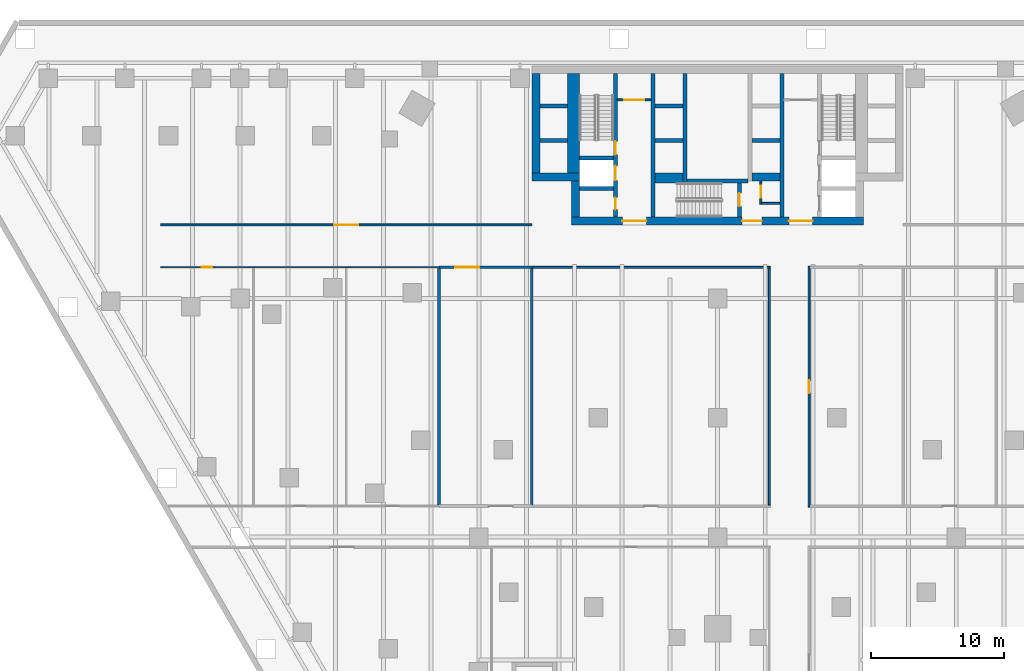
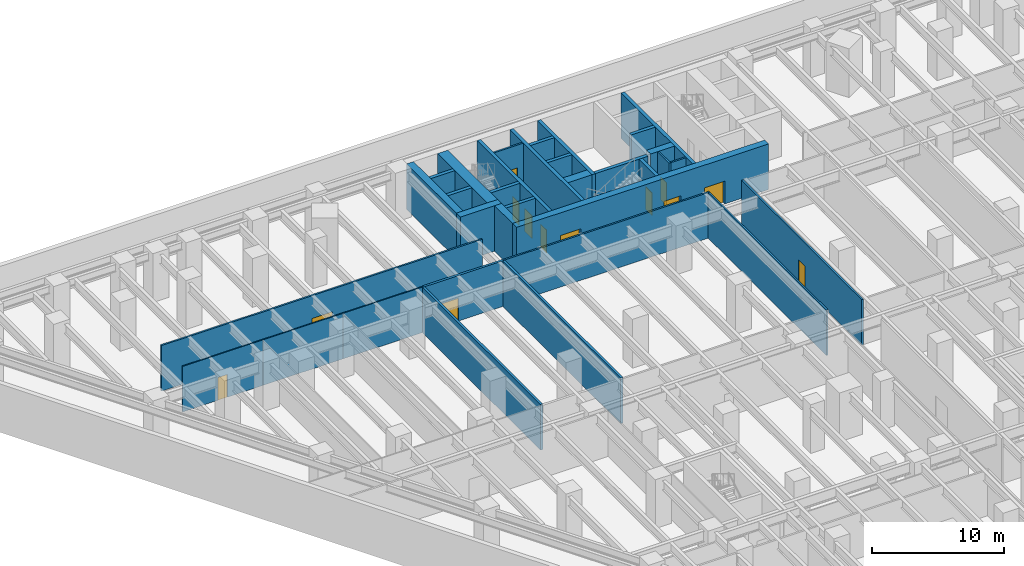
# One storey, part 14 of 20: 33 walls, 13 doors, 13 openings.
"""IFC4 building model written with IfcOpenShell, lengths in metres."""

from ifc_helpers import new_model, si_unit, direction, frame, frame_2d, origin, place, context, subcontext, project, spatial, rectangle, extrude, material, layer, layer_set, type_object, element, fill, save


model = new_model("IFC4")

# Units and contexts
model_context = context("Model", 3, precision=1e-05, world=origin(), true_north=direction((0.0, 1.0)))
body_context = subcontext(model_context, "Body", "Model", "MODEL_VIEW")
ifc_project = project(units=[si_unit("LENGTHUNIT", "METRE"), si_unit("AREAUNIT", "SQUARE_METRE"), si_unit("VOLUMEUNIT", "CUBIC_METRE"), si_unit("PLANEANGLEUNIT", "RADIAN"), si_unit("MASSUNIT", "GRAM", prefix="KILO")], contexts=[model_context])

# Site, building, storey
site_placement = place(None, origin())
site = spatial("IfcSite", under=ifc_project, at=site_placement, CompositionType="ELEMENT")
building_placement = place(site_placement, origin())
building = spatial("IfcBuilding", under=site, at=building_placement, Name="Aloe Facet Convention Tower", CompositionType="ELEMENT")
storey_placement = place(building_placement, frame((0.0, 0.0, -4.5)))
storey = spatial("IfcBuildingStorey", under=building, at=storey_placement, Name="B1", CompositionType="ELEMENT", Elevation=-4.5)

# Wall, opening, door
ifc_material_1 = material(Name="Concrete blockwork partition", Category="masonry")
ifc_layer_1 = layer(ifc_material_1, 0.14990234375)
ifc_layer_set_1 = layer_set([ifc_layer_1], Name="CR-W-PART150")
wall_type_1 = type_object("IfcWallType", Name="CR-W-PART150", PredefinedType="PARTITIONING", material=ifc_layer_set_1)
wall_1_placement = place(storey_placement, frame((72.449951171875, 131.97509765625, 0.0), z_axis=(0.0, 0.0, 1.0), x_axis=(1.0, 0.0, 0.0)))
wall_1 = element("IfcWall", 1, at=wall_1_placement, inside=storey, type_object=wall_type_1, Name="Core partition B1-012", PredefinedType="PARTITIONING", context=body_context, shape_type="SweptSolid", body=[
    extrude(rectangle(XDim=2.550048828125, YDim=0.14990234375, at=frame_2d((1.27490234375, 0.0))), origin(), (0.0, 0.0, 1.0), 4.199951171875),
])
opening_1_placement = place(wall_1_placement, frame((0.52490234375, 0.0, 0.0)))
opening_1 = element("IfcOpeningElement", 2, at=opening_1_placement, cuts=wall_1, Name="Opening B1-CD08", PredefinedType="OPENING", context=body_context, shape_type="SweptSolid", body=[
    extrude(rectangle(XDim=1.5, YDim=2.10009765625, at=frame_2d((0.75, 1.050048828125))), frame((0.0, 0.0849609375, 0.0), z_axis=(0.0, -1.0, 0.0), x_axis=(1.0, 0.0, 0.0)), (0.0, 0.0, 1.0), 0.169921875),
])
ifc_material_2 = material(Name="Steel fire-resisting door set FD60", Category="steel")
door_type_1 = type_object("IfcDoorType", Name="CR-D-REFUGE-1500-FD60-DD", OperationType="DOUBLE_DOOR_DOUBLE_SWING", PredefinedType="DOOR", material=ifc_material_2)
door_1_placement = place(opening_1_placement, origin())
door_1 = element("IfcDoor", 3, at=door_1_placement, inside=storey, type_object=door_type_1, Name="Core door B1-CD08", OperationType="DOUBLE_DOOR_DOUBLE_SWING", OverallHeight=2.10009765625, OverallWidth=1.5, PredefinedType="DOOR", context=body_context, shape_type="SweptSolid", body=[
    extrude(rectangle(XDim=1.5, YDim=2.10009765625, at=frame_2d((0.75, 1.050048828125))), frame((0.0, 0.02490234375, 0.0), z_axis=(0.0, -1.0, 0.0), x_axis=(1.0, 0.0, 0.0)), (0.0, 0.0, 1.0), 0.050048828125),
])
fill(opening_1, door_1)

wall_2_placement = place(storey_placement, frame((83.27490234375, 125.85009765625, 0.0), z_axis=(0.0, 0.0, 1.0), x_axis=(0.0, -1.0, 0.0)))
wall_2 = element("IfcWall", 4, at=wall_2_placement, inside=storey, type_object=wall_type_1, Name="Core partition B1-024", PredefinedType="PARTITIONING", context=body_context, shape_type="SweptSolid", body=[
    extrude(rectangle(XDim=1.75, YDim=0.14990234375, at=frame_2d((0.875, 0.0))), origin(), (0.0, 0.0, 1.0), 4.199951171875),
])
opening_2_placement = place(wall_2_placement, frame((0.35009765625, 0.0, 0.0)))
opening_2 = element("IfcOpeningElement", 5, at=opening_2_placement, cuts=wall_2, Name="Opening B1-CD06", PredefinedType="OPENING", context=body_context, shape_type="SweptSolid", body=[
    extrude(rectangle(XDim=0.89990234375, YDim=2.10009765625, at=frame_2d((0.449951171875, 1.050048828125))), frame((0.0, 0.0849609375, 0.0), z_axis=(0.0, -1.0, 0.0), x_axis=(1.0, 0.0, 0.0)), (0.0, 0.0, 1.0), 0.169921875),
])
ifc_material_3 = material(Name="Steel fire-resisting door set FD60", Category="steel")
door_type_2 = type_object("IfcDoorType", Name="CR-D-REFUGE-900-FD60-SRIGHT", OperationType="SINGLE_SWING_RIGHT", PredefinedType="DOOR", material=ifc_material_3)
door_2_placement = place(opening_2_placement, origin())
door_2 = element("IfcDoor", 6, at=door_2_placement, inside=storey, type_object=door_type_2, Name="Core door B1-CD06", OperationType="SINGLE_SWING_RIGHT", OverallHeight=2.10009765625, OverallWidth=0.89990234375, PredefinedType="DOOR", context=body_context, shape_type="SweptSolid", body=[
    extrude(rectangle(XDim=0.89990234375, YDim=2.10009765625, at=frame_2d((0.449951171875, 1.050048828125))), frame((0.0, 0.02490234375, 0.0), z_axis=(0.0, -1.0, 0.0), x_axis=(1.0, 0.0, 0.0)), (0.0, 0.0, 1.0), 0.050048828125),
])
fill(opening_2, door_2)

# Walls
wall_3_placement = place(storey_placement, frame((83.35009765625, 124.175048828125, 0.0), z_axis=(0.0, 0.0, 1.0), x_axis=(1.0, 0.0, 0.0)))
element("IfcWall", 7, at=wall_3_placement, inside=storey, type_object=wall_type_1, Name="Core partition B1-025", PredefinedType="PARTITIONING", context=body_context, shape_type="SweptSolid", body=[
    extrude(rectangle(XDim=1.349853515625, YDim=0.14990234375, at=frame_2d((0.6748046875, 0.0))), origin(), (0.0, 0.0, 1.0), 4.199951171875),
])
ifc_material_4 = material(Name="Concrete C80/95", Category="concrete")
ifc_layer_2 = layer(ifc_material_4, 0.300048828125)
ifc_layer_set_2 = layer_set([ifc_layer_2], Name="CR-W-RC300-C8095")
wall_type_2 = type_object("IfcWallType", Name="CR-W-RC300-C8095", PredefinedType="SOLIDWALL", material=ifc_layer_set_2)
for number, where, z_axis, x_axis, name in (
    (8, (66.60009765625, 131.5, 0.0), (0.0, 0.0, 1.0), (1.0, 0.0, 0.0), "Core wall B1-004"),
    (9, (66.60009765625, 128.89990234375, 0.0), (0.0, 0.0, 1.0), (1.0, 0.0, 0.0), "Core wall B1-005"),
):
    element("IfcWall", number, at=place(storey_placement, frame(where, z_axis=z_axis, x_axis=x_axis)), inside=storey, type_object=wall_type_2, Name=name, PredefinedType="SOLIDWALL", context=body_context, shape_type="SweptSolid", body=[
        extrude(rectangle(XDim=2.099853515625, YDim=0.300048828125, at=frame_2d((1.0498046875, 0.0))), origin(), (0.0, 0.0, 1.0), 4.199951171875),
    ])
for number, where, z_axis, x_axis, name in (
    (10, (69.60009765625, 127.60009765625, 0.0), (0.0, 0.0, 1.0), (1.0, 0.0, 0.0), "Core wall B1-009"),
    (11, (69.60009765625, 125.300048828125, 0.0), (0.0, 0.0, 1.0), (1.0, 0.0, 0.0), "Core wall B1-010"),
):
    element("IfcWall", number, at=place(storey_placement, frame(where, z_axis=z_axis, x_axis=x_axis)), inside=storey, type_object=wall_type_2, Name=name, PredefinedType="SOLIDWALL", context=body_context, shape_type="SweptSolid", body=[
        extrude(rectangle(XDim=2.5498046875, YDim=0.300048828125, at=frame_2d((1.27490234375, 0.0))), origin(), (0.0, 0.0, 1.0), 4.199951171875),
    ])

# Wall, openings, doors
wall_4_placement = place(storey_placement, frame((72.300048828125, 133.949951171875, 0.0), z_axis=(0.0, 0.0, 1.0), x_axis=(0.0, -1.0, 0.0)))
wall_4 = element("IfcWall", 12, at=wall_4_placement, inside=storey, type_object=wall_type_2, Name="Core wall B1-011", PredefinedType="SOLIDWALL", context=body_context, shape_type="SweptSolid", body=[
    extrude(rectangle(XDim=10.800048828125, YDim=0.300048828125, at=frame_2d((5.39990234375, 0.0))), origin(), (0.0, 0.0, 1.0), 4.199951171875),
])
opening_3_placement = place(wall_4_placement, frame((6.949951171875, 0.0, 0.0)))
opening_3 = element("IfcOpeningElement", 13, at=opening_3_placement, cuts=wall_4, Name="Opening LD-FF1-B1", PredefinedType="OPENING", context=body_context, shape_type="SweptSolid", body=[
    extrude(rectangle(XDim=1.10009765625, YDim=2.10009765625, at=frame_2d((0.550048828125, 1.050048828125))), frame((0.0, 0.16015625, 0.0), z_axis=(0.0, -1.0, 0.0), x_axis=(1.0, 0.0, 0.0)), (0.0, 0.0, 1.0), 0.320068359375),
])
opening_4_placement = place(wall_4_placement, frame((9.35009765625, 0.0, 0.0)))
opening_4 = element("IfcOpeningElement", 14, at=opening_4_placement, cuts=wall_4, Name="Opening B1-CD09", PredefinedType="OPENING", context=body_context, shape_type="SweptSolid", body=[
    extrude(rectangle(XDim=0.89990234375, YDim=2.10009765625, at=frame_2d((0.449951171875, 1.050048828125))), frame((0.0, 0.16015625, 0.0), z_axis=(0.0, -1.0, 0.0), x_axis=(1.0, 0.0, 0.0)), (0.0, 0.0, 1.0), 0.320068359375),
])
opening_5_placement = place(wall_4_placement, frame((5.10009765625, 0.0, 0.0)))
opening_5 = element("IfcOpeningElement", 15, at=opening_5_placement, cuts=wall_4, Name="Opening B1-CD10", PredefinedType="OPENING", context=body_context, shape_type="SweptSolid", body=[
    extrude(rectangle(XDim=1.0, YDim=2.10009765625, at=frame_2d((0.5, 1.050048828125))), frame((0.0, 0.16015625, 0.0), z_axis=(0.0, -1.0, 0.0), x_axis=(1.0, 0.0, 0.0)), (0.0, 0.0, 1.0), 0.320068359375),
])
ifc_material_5 = material(Name="Steel fire-resisting door set FD60", Category="steel")
door_type_3 = type_object("IfcDoorType", Name="CR-D-ROOM-900-FD60-SLEFT", OperationType="SINGLE_SWING_LEFT", PredefinedType="DOOR", material=ifc_material_5)
door_3_placement = place(opening_4_placement, origin())
door_3 = element("IfcDoor", 16, at=door_3_placement, inside=storey, type_object=door_type_3, Name="Core door B1-CD09", OperationType="SINGLE_SWING_LEFT", OverallHeight=2.10009765625, OverallWidth=0.89990234375, PredefinedType="DOOR", context=body_context, shape_type="SweptSolid", body=[
    extrude(rectangle(XDim=0.89990234375, YDim=2.10009765625, at=frame_2d((0.449951171875, 1.050048828125))), frame((0.0, 0.02490234375, 0.0), z_axis=(0.0, -1.0, 0.0), x_axis=(1.0, 0.0, 0.0)), (0.0, 0.0, 1.0), 0.050048828125),
])
fill(opening_4, door_3)
ifc_material_6 = material(Name="Steel fire-resisting door set FD120", Category="steel")
door_type_4 = type_object("IfcDoorType", Name="CR-D-STAIR-1000-FD120-SRIGHT", OperationType="SINGLE_SWING_RIGHT", PredefinedType="DOOR", material=ifc_material_6)
door_4_placement = place(opening_5_placement, origin())
door_4 = element("IfcDoor", 17, at=door_4_placement, inside=storey, type_object=door_type_4, Name="Core door B1-CD10", OperationType="SINGLE_SWING_RIGHT", OverallHeight=2.10009765625, OverallWidth=1.0, PredefinedType="DOOR", context=body_context, shape_type="SweptSolid", body=[
    extrude(rectangle(XDim=1.0, YDim=2.10009765625, at=frame_2d((0.5, 1.050048828125))), frame((0.0, 0.02490234375, 0.0), z_axis=(0.0, -1.0, 0.0), x_axis=(1.0, 0.0, 0.0)), (0.0, 0.0, 1.0), 0.050048828125),
])
fill(opening_5, door_4)
ifc_material_7 = material(Name="Stainless steel sliding landing door", Category="steel")
door_type_5 = type_object("IfcDoorType", Name="CR-LD-1100-FD120-_LEFT", OperationType="SLIDING_TO_LEFT", PredefinedType="DOOR", material=ifc_material_7)
door_5_placement = place(opening_3_placement, origin())
door_5 = element("IfcDoor", 18, at=door_5_placement, inside=storey, type_object=door_type_5, Name="Landing door FF1 B1", OperationType="SLIDING_TO_LEFT", OverallHeight=2.10009765625, OverallWidth=1.10009765625, PredefinedType="DOOR", context=body_context, shape_type="SweptSolid", body=[
    extrude(rectangle(XDim=1.10009765625, YDim=2.10009765625, at=frame_2d((0.550048828125, 1.050048828125))), frame((0.0, 0.02490234375, 0.0), z_axis=(0.0, -1.0, 0.0), x_axis=(1.0, 0.0, 0.0)), (0.0, 0.0, 1.0), 0.050048828125),
])
fill(opening_3, door_5)

# Walls
wall_5_placement = place(storey_placement, frame((75.14990234375, 133.949951171875, 0.0), z_axis=(0.0, 0.0, 1.0), x_axis=(0.0, -1.0, 0.0)))
element("IfcWall", 19, at=wall_5_placement, inside=storey, type_object=wall_type_2, Name="Core wall B1-013", PredefinedType="SOLIDWALL", context=body_context, shape_type="SweptSolid", body=[
    extrude(rectangle(XDim=10.800048828125, YDim=0.300048828125, at=frame_2d((5.39990234375, 0.0))), origin(), (0.0, 0.0, 1.0), 4.199951171875),
])
for number, where, z_axis, x_axis, name in (
    (20, (75.300048828125, 131.5, 0.0), (0.0, 0.0, 1.0), (1.0, 0.0, 0.0), "Core wall B1-014"),
    (21, (75.300048828125, 128.89990234375, 0.0), (0.0, 0.0, 1.0), (1.0, 0.0, 0.0), "Core wall B1-015"),
):
    element("IfcWall", number, at=place(storey_placement, frame(where, z_axis=z_axis, x_axis=x_axis)), inside=storey, type_object=wall_type_2, Name=name, PredefinedType="SOLIDWALL", context=body_context, shape_type="SweptSolid", body=[
        extrude(rectangle(XDim=2.099853515625, YDim=0.300048828125, at=frame_2d((1.0498046875, 0.0))), origin(), (0.0, 0.0, 1.0), 4.199951171875),
    ])
wall_6_placement = place(storey_placement, frame((77.550048828125, 133.949951171875, 0.0), z_axis=(0.0, 0.0, 1.0), x_axis=(0.0, -1.0, 0.0)))
element("IfcWall", 22, at=wall_6_placement, inside=storey, type_object=wall_type_2, Name="Core wall B1-017", PredefinedType="SOLIDWALL", context=body_context, shape_type="SweptSolid", body=[
    extrude(rectangle(XDim=8.25, YDim=0.300048828125, at=frame_2d((4.125, 0.0))), origin(), (0.0, 0.0, 1.0), 4.199951171875),
])
wall_7_placement = place(storey_placement, frame((77.699951171875, 125.85009765625, 0.0), z_axis=(0.0, 0.0, 1.0), x_axis=(1.0, 0.0, 0.0)))
element("IfcWall", 23, at=wall_7_placement, inside=storey, type_object=wall_type_2, Name="Core wall B1-018", PredefinedType="SOLIDWALL", context=body_context, shape_type="SweptSolid", body=[
    extrude(rectangle(XDim=4.60009765625, YDim=0.300048828125, at=frame_2d((2.300048828125, 0.0))), origin(), (0.0, 0.0, 1.0), 4.199951171875),
])

# Wall, opening, door
wall_8_placement = place(storey_placement, frame((81.64990234375, 125.699951171875, 0.0), z_axis=(0.0, 0.0, 1.0), x_axis=(0.0, -1.0, 0.0)))
wall_8 = element("IfcWall", 24, at=wall_8_placement, inside=storey, type_object=wall_type_2, Name="Core wall B1-019", PredefinedType="SOLIDWALL", context=body_context, shape_type="SweptSolid", body=[
    extrude(rectangle(XDim=2.550048828125, YDim=0.300048828125, at=frame_2d((1.27490234375, 0.0))), origin(), (0.0, 0.0, 1.0), 4.199951171875),
])
opening_6_placement = place(wall_8_placement, frame((0.75, 0.0, 0.0)))
opening_6 = element("IfcOpeningElement", 25, at=opening_6_placement, cuts=wall_8, Name="Opening B1-CD12", PredefinedType="OPENING", context=body_context, shape_type="SweptSolid", body=[
    extrude(rectangle(XDim=1.0, YDim=2.10009765625, at=frame_2d((0.5, 1.050048828125))), frame((0.0, 0.16015625, 0.0), z_axis=(0.0, -1.0, 0.0), x_axis=(1.0, 0.0, 0.0)), (0.0, 0.0, 1.0), 0.320068359375),
])
ifc_material_8 = material(Name="Steel fire-resisting door set FD120", Category="steel")
door_type_6 = type_object("IfcDoorType", Name="CR-D-STAIR-1000-FD120-SLEFT", OperationType="SINGLE_SWING_LEFT", PredefinedType="DOOR", material=ifc_material_8)
door_6_placement = place(opening_6_placement, origin())
door_6 = element("IfcDoor", 26, at=door_6_placement, inside=storey, type_object=door_type_6, Name="Core door B1-CD12", OperationType="SINGLE_SWING_LEFT", OverallHeight=2.10009765625, OverallWidth=1.0, PredefinedType="DOOR", context=body_context, shape_type="SweptSolid", body=[
    extrude(rectangle(XDim=1.0, YDim=2.10009765625, at=frame_2d((0.5, 1.050048828125))), frame((0.0, 0.02490234375, 0.0), z_axis=(0.0, -1.0, 0.0), x_axis=(1.0, 0.0, 0.0)), (0.0, 0.0, 1.0), 0.050048828125),
])
fill(opening_6, door_6)

# Walls
wall_9_placement = place(storey_placement, frame((82.60009765625, 128.89990234375, 0.0), z_axis=(0.0, 0.0, 1.0), x_axis=(1.0, 0.0, 0.0)))
element("IfcWall", 27, at=wall_9_placement, inside=storey, type_object=wall_type_2, Name="Core wall B1-022", PredefinedType="SOLIDWALL", context=body_context, shape_type="SweptSolid", body=[
    extrude(rectangle(XDim=2.099853515625, YDim=0.300048828125, at=frame_2d((1.0498046875, 0.0))), origin(), (0.0, 0.0, 1.0), 4.199951171875),
])
wall_10_placement = place(storey_placement, frame((84.85009765625, 133.949951171875, 0.0), z_axis=(0.0, 0.0, 1.0), x_axis=(0.0, -1.0, 0.0)))
element("IfcWall", 28, at=wall_10_placement, inside=storey, type_object=wall_type_2, Name="Core wall B1-026", PredefinedType="SOLIDWALL", context=body_context, shape_type="SweptSolid", body=[
    extrude(rectangle(XDim=10.800048828125, YDim=0.300048828125, at=frame_2d((5.39990234375, 0.0))), origin(), (0.0, 0.0, 1.0), 4.199951171875),
])
ifc_material_9 = material(Name="Concrete C80/95", Category="concrete")
ifc_layer_3 = layer(ifc_material_9, 0.60009765625)
ifc_layer_set_3 = layer_set([ifc_layer_3], Name="CR-W-RC600-C8095")
wall_type_3 = type_object("IfcWallType", Name="CR-W-RC600-C8095", PredefinedType="SOLIDWALL", material=ifc_layer_set_3)
wall_11_placement = place(storey_placement, frame((66.300048828125, 133.949951171875, 0.0), z_axis=(0.0, 0.0, 1.0), x_axis=(0.0, -1.0, 0.0)))
element("IfcWall", 29, at=wall_11_placement, inside=storey, type_object=wall_type_3, Name="Core wall B1-002", PredefinedType="SOLIDWALL", context=body_context, shape_type="SweptSolid", body=[
    extrude(rectangle(XDim=7.5, YDim=0.60009765625, at=frame_2d((3.75, 0.0))), origin(), (0.0, 0.0, 1.0), 4.199951171875),
])
wall_12_placement = place(storey_placement, frame((66.0, 126.14990234375, 0.0), z_axis=(0.0, 0.0, 1.0), x_axis=(1.0, 0.0, 0.0)))
element("IfcWall", 30, at=wall_12_placement, inside=storey, type_object=wall_type_3, Name="Core wall B1-003", PredefinedType="SOLIDWALL", context=body_context, shape_type="SweptSolid", body=[
    extrude(rectangle(XDim=3.60009765625, YDim=0.60009765625, at=frame_2d((1.800048828125, 0.0))), origin(), (0.0, 0.0, 1.0), 4.199951171875),
])
wall_13_placement = place(storey_placement, frame((69.300048828125, 125.85009765625, 0.0), z_axis=(0.0, 0.0, 1.0), x_axis=(0.0, -1.0, 0.0)))
element("IfcWall", 31, at=wall_13_placement, inside=storey, type_object=wall_type_3, Name="Core wall B1-007", PredefinedType="SOLIDWALL", context=body_context, shape_type="SweptSolid", body=[
    extrude(rectangle(XDim=2.7001953125, YDim=0.60009765625, at=frame_2d((1.35009765625, 0.0))), origin(), (0.0, 0.0, 1.0), 4.199951171875),
])

# Wall, openings, doors
wall_14_placement = place(storey_placement, frame((69.0, 122.85009765625, 0.0), z_axis=(0.0, 0.0, 1.0), x_axis=(1.0, 0.0, 0.0)))
wall_14 = element("IfcWall", 32, at=wall_14_placement, inside=storey, type_object=wall_type_3, Name="Core wall B1-008", PredefinedType="SOLIDWALL", context=body_context, shape_type="SweptSolid", body=[
    extrude(rectangle(XDim=22.0, YDim=0.60009765625, at=frame_2d((11.0, 0.0))), origin(), (0.0, 0.0, 1.0), 4.199951171875),
])
opening_7_placement = place(wall_14_placement, frame((16.375, 0.0, 0.0)))
opening_7 = element("IfcOpeningElement", 33, at=opening_7_placement, cuts=wall_14, Name="Opening B1-CD03", PredefinedType="OPENING", context=body_context, shape_type="SweptSolid", body=[
    extrude(rectangle(XDim=1.800048828125, YDim=2.10009765625, at=frame_2d((0.89990234375, 1.050048828125))), frame((0.0, 0.31005859375, 0.0), z_axis=(0.0, -1.0, 0.0), x_axis=(1.0, 0.0, 0.0)), (0.0, 0.0, 1.0), 0.6201171875),
])
opening_8_placement = place(wall_14_placement, frame((3.824951171875, 0.0, 0.0)))
opening_8 = element("IfcOpeningElement", 34, at=opening_8_placement, cuts=wall_14, Name="Opening B1-CD04", PredefinedType="OPENING", context=body_context, shape_type="SweptSolid", body=[
    extrude(rectangle(XDim=1.800048828125, YDim=2.10009765625, at=frame_2d((0.89990234375, 1.050048828125))), frame((0.0, 0.31005859375, 0.0), z_axis=(0.0, -1.0, 0.0), x_axis=(1.0, 0.0, 0.0)), (0.0, 0.0, 1.0), 0.6201171875),
])
opening_9_placement = place(wall_14_placement, frame((12.85009765625, 0.0, 0.0)))
opening_9 = element("IfcOpeningElement", 35, at=opening_9_placement, cuts=wall_14, Name="Opening B1-CD05", PredefinedType="OPENING", context=body_context, shape_type="SweptSolid", body=[
    extrude(rectangle(XDim=1.5, YDim=2.10009765625, at=frame_2d((0.75, 1.050048828125))), frame((0.0, 0.31005859375, 0.0), z_axis=(0.0, -1.0, 0.0), x_axis=(1.0, 0.0, 0.0)), (0.0, 0.0, 1.0), 0.6201171875),
])
ifc_material_10 = material(Name="Steel fire-resisting door set FD60", Category="steel")
door_type_7 = type_object("IfcDoorType", Name="CR-D-EXIT-1500-FD60-DD", OperationType="DOUBLE_DOOR_DOUBLE_SWING", PredefinedType="DOOR", material=ifc_material_10)
door_7_placement = place(opening_9_placement, origin())
door_7 = element("IfcDoor", 36, at=door_7_placement, inside=storey, type_object=door_type_7, Name="Core door B1-CD05", OperationType="DOUBLE_DOOR_DOUBLE_SWING", OverallHeight=2.10009765625, OverallWidth=1.5, PredefinedType="DOOR", context=body_context, shape_type="SweptSolid", body=[
    extrude(rectangle(XDim=1.5, YDim=2.10009765625, at=frame_2d((0.75, 1.050048828125))), frame((0.0, 0.02490234375, 0.0), z_axis=(0.0, -1.0, 0.0), x_axis=(1.0, 0.0, 0.0)), (0.0, 0.0, 1.0), 0.050048828125),
])
fill(opening_9, door_7)
ifc_material_11 = material(Name="Steel fire-resisting door set FD120", Category="steel")
door_type_8 = type_object("IfcDoorType", Name="CR-D-EXIT-1800-FD120-DD", OperationType="DOUBLE_DOOR_DOUBLE_SWING", PredefinedType="DOOR", material=ifc_material_11)
door_8_placement = place(opening_7_placement, origin())
door_8 = element("IfcDoor", 37, at=door_8_placement, inside=storey, type_object=door_type_8, Name="Core door B1-CD03", OperationType="DOUBLE_DOOR_DOUBLE_SWING", OverallHeight=2.10009765625, OverallWidth=1.800048828125, PredefinedType="DOOR", context=body_context, shape_type="SweptSolid", body=[
    extrude(rectangle(XDim=1.800048828125, YDim=2.10009765625, at=frame_2d((0.89990234375, 1.050048828125))), frame((0.0, 0.02490234375, 0.0), z_axis=(0.0, -1.0, 0.0), x_axis=(1.0, 0.0, 0.0)), (0.0, 0.0, 1.0), 0.050048828125),
])
fill(opening_7, door_8)
door_9_placement = place(opening_8_placement, origin())
door_9 = element("IfcDoor", 38, at=door_9_placement, inside=storey, type_object=door_type_8, Name="Core door B1-CD04", OperationType="DOUBLE_DOOR_DOUBLE_SWING", OverallHeight=2.10009765625, OverallWidth=1.800048828125, PredefinedType="DOOR", context=body_context, shape_type="SweptSolid", body=[
    extrude(rectangle(XDim=1.800048828125, YDim=2.10009765625, at=frame_2d((0.89990234375, 1.050048828125))), frame((0.0, 0.02490234375, 0.0), z_axis=(0.0, -1.0, 0.0), x_axis=(1.0, 0.0, 0.0)), (0.0, 0.0, 1.0), 0.050048828125),
])
fill(opening_8, door_9)

# Walls
wall_15_placement = place(storey_placement, frame((82.60009765625, 126.14990234375, 0.0), z_axis=(0.0, 0.0, 1.0), x_axis=(1.0, 0.0, 0.0)))
element("IfcWall", 39, at=wall_15_placement, inside=storey, type_object=wall_type_3, Name="Core wall B1-023", PredefinedType="SOLIDWALL", context=body_context, shape_type="SweptSolid", body=[
    extrude(rectangle(XDim=2.099853515625, YDim=0.60009765625, at=frame_2d((1.0498046875, 0.0))), origin(), (0.0, 0.0, 1.0), 4.199951171875),
])
ifc_material_12 = material(Name="Concrete C80/95", Category="concrete")
ifc_layer_4 = layer(ifc_material_12, 0.75)
ifc_layer_set_4 = layer_set([ifc_layer_4], Name="CR-W-RC750-C8095")
wall_type_4 = type_object("IfcWallType", Name="CR-W-RC750-C8095", PredefinedType="SOLIDWALL", material=ifc_layer_set_4)
wall_16_placement = place(storey_placement, frame((75.300048828125, 126.074951171875, 0.0), z_axis=(0.0, 0.0, 1.0), x_axis=(1.0, 0.0, 0.0)))
element("IfcWall", 40, at=wall_16_placement, inside=storey, type_object=wall_type_4, Name="Core wall B1-016", PredefinedType="SOLIDWALL", context=body_context, shape_type="SweptSolid", body=[
    extrude(rectangle(XDim=2.099853515625, YDim=0.75, at=frame_2d((1.0498046875, 0.0))), origin(), (0.0, 0.0, 1.0), 4.199951171875),
])
ifc_material_13 = material(Name="Concrete C80/95", Category="concrete")
ifc_layer_5 = layer(ifc_material_13, 0.89990234375)
ifc_layer_set_5 = layer_set([ifc_layer_5], Name="CR-W-RC900-C8095")
wall_type_5 = type_object("IfcWallType", Name="CR-W-RC900-C8095", PredefinedType="SOLIDWALL", material=ifc_layer_set_5)
wall_17_placement = place(storey_placement, frame((69.14990234375, 133.949951171875, 0.0), z_axis=(0.0, 0.0, 1.0), x_axis=(0.0, -1.0, 0.0)))
element("IfcWall", 41, at=wall_17_placement, inside=storey, type_object=wall_type_5, Name="Core wall B1-006", PredefinedType="SOLIDWALL", context=body_context, shape_type="SweptSolid", body=[
    extrude(rectangle(XDim=7.5, YDim=0.89990234375, at=frame_2d((3.75, 0.0))), origin(), (0.0, 0.0, 1.0), 4.199951171875),
])
ifc_material_14 = material(Name="Masonry blockwork wall, plastered", Category="masonry")
ifc_layer_6 = layer(ifc_material_14, 0.199951171875)
ifc_layer_set_6 = layer_set([ifc_layer_6], Name="IN-POD-W-ASSY")
wall_type_6 = type_object("IfcWallType", Name="IN-POD-W-ASSY", PredefinedType="PARTITIONING", material=ifc_layer_set_6)
for number, where, z_axis, x_axis, name in (
    (42, (59.0, 101.43505859375, 0.0), (0.0, 0.0, 1.0), (0.0, 1.0, 0.0), "Partition B1-W036"),
    (43, (66.0, 101.43505859375, 0.0), (0.0, 0.0, 1.0), (0.0, 1.0, 0.0), "Partition B1-W038"),
):
    element("IfcWall", number, at=place(storey_placement, frame(where, z_axis=z_axis, x_axis=x_axis)), inside=storey, type_object=wall_type_6, Name=name, PredefinedType="PARTITIONING", context=body_context, shape_type="SweptSolid", body=[
        extrude(rectangle(XDim=17.829833984375, YDim=0.199951171875, at=frame_2d((8.9150390625, 0.0))), origin(), (0.0, 0.0, 1.0), 4.199951171875),
    ])

# Wall, opening, door
wall_18_placement = place(storey_placement, frame((59.0, 119.35009765625, 0.0), z_axis=(0.0, 0.0, 1.0), x_axis=(1.0, 0.0, 0.0)))
wall_18 = element("IfcWall", 44, at=wall_18_placement, inside=storey, type_object=wall_type_6, Name="Partition B1-W053", PredefinedType="PARTITIONING", context=body_context, shape_type="SweptSolid", body=[
    extrude(rectangle(XDim=7.0, YDim=0.199951171875, at=frame_2d((3.5, 0.0))), origin(), (0.0, 0.0, 1.0), 4.199951171875),
])
opening_10_placement = place(wall_18_placement, frame((1.219970703125, 0.0, 0.0)))
opening_10 = element("IfcOpeningElement", 45, at=opening_10_placement, cuts=wall_18, Name="Opening B1-007", PredefinedType="OPENING", context=body_context, shape_type="SweptSolid", body=[
    extrude(rectangle(XDim=1.800048828125, YDim=2.10009765625, at=frame_2d((0.89990234375, 1.050048828125))), frame((0.0, 0.10986328125, 0.0), z_axis=(0.0, -1.0, 0.0), x_axis=(1.0, 0.0, 0.0)), (0.0, 0.0, 1.0), 0.219970703125),
])
ifc_material_15 = material(Name="Hardwood flush door pair", Category="wood")
door_type_9 = type_object("IfcDoorType", Name="IN-POD-D-PAIR", OperationType="DOUBLE_DOOR_SINGLE_SWING", PredefinedType="DOOR", material=ifc_material_15)
door_10_placement = place(opening_10_placement, origin())
door_10 = element("IfcDoor", 46, at=door_10_placement, inside=storey, type_object=door_type_9, Name="Door B1-007", OperationType="SINGLE_SWING_LEFT", OverallHeight=2.10009765625, OverallWidth=1.800048828125, PredefinedType="DOOR", context=body_context, shape_type="SweptSolid", body=[
    extrude(rectangle(XDim=1.800048828125, YDim=2.10009765625, at=frame_2d((0.89990234375, 1.050048828125))), frame((0.0, 0.02490234375, 0.0), z_axis=(0.0, -1.0, 0.0), x_axis=(1.0, 0.0, 0.0)), (0.0, 0.0, 1.0), 0.050048828125),
])
fill(opening_10, door_10)

ifc_material_16 = material(Name="Gypsum board partition on steel studs, double layer", Category="steel")
ifc_layer_7 = layer(ifc_material_16, 0.14990234375)
ifc_layer_set_7 = layer_set([ifc_layer_7], Name="IN-POD-W-CORR")
wall_type_7 = type_object("IfcWallType", Name="IN-POD-W-CORR", PredefinedType="PARTITIONING", material=ifc_layer_set_7)
wall_19_placement = place(storey_placement, frame((86.89990234375, 101.27490234375, 0.0), z_axis=(0.0, 0.0, 1.0), x_axis=(0.0, 1.0, 0.0)))
wall_19 = element("IfcWall", 47, at=wall_19_placement, inside=storey, type_object=wall_type_7, Name="Partition B1-W040", PredefinedType="PARTITIONING", context=body_context, shape_type="SweptSolid", body=[
    extrude(rectangle(XDim=18.150146484375, YDim=0.14990234375, at=frame_2d((9.0751953125, 0.0))), origin(), (0.0, 0.0, 1.0), 4.199951171875),
])
opening_11_placement = place(wall_19_placement, frame((8.574951171875, 0.0, 0.0)))
opening_11 = element("IfcOpeningElement", 48, at=opening_11_placement, cuts=wall_19, Name="Opening B1-009", PredefinedType="OPENING", context=body_context, shape_type="SweptSolid", body=[
    extrude(rectangle(XDim=1.0, YDim=2.10009765625, at=frame_2d((0.5, 1.050048828125))), frame((0.0, 0.0849609375, 0.0), z_axis=(0.0, -1.0, 0.0), x_axis=(1.0, 0.0, 0.0)), (0.0, 0.0, 1.0), 0.169921875),
])
ifc_material_17 = material(Name="Steel flush door, galvanised", Category="steel")
door_type_10 = type_object("IfcDoorType", Name="IN-POD-D-PLANT", OperationType="SINGLE_SWING_LEFT", PredefinedType="DOOR", material=ifc_material_17)
door_11_placement = place(opening_11_placement, origin())
door_11 = element("IfcDoor", 49, at=door_11_placement, inside=storey, type_object=door_type_10, Name="Door B1-009", OperationType="SINGLE_SWING_LEFT", OverallHeight=2.10009765625, OverallWidth=1.0, PredefinedType="DOOR", context=body_context, shape_type="SweptSolid", body=[
    extrude(rectangle(XDim=1.0, YDim=2.10009765625, at=frame_2d((0.5, 1.050048828125))), frame((0.0, 0.02490234375, 0.0), z_axis=(0.0, -1.0, 0.0), x_axis=(1.0, 0.0, 0.0)), (0.0, 0.0, 1.0), 0.050048828125),
])
fill(opening_11, door_11)

# Walls
wall_20_placement = place(storey_placement, frame((66.0, 119.35009765625, 0.0), z_axis=(0.0, 0.0, 1.0), x_axis=(1.0, 0.0, 0.0)))
element("IfcWall", 50, at=wall_20_placement, inside=storey, type_object=wall_type_7, Name="Partition B1-W054", PredefinedType="PARTITIONING", context=body_context, shape_type="SweptSolid", body=[
    extrude(rectangle(XDim=17.97509765625, YDim=0.14990234375, at=frame_2d((8.987548828125, 0.0))), origin(), (0.0, 0.0, 1.0), 4.199951171875),
])
wall_21_placement = place(storey_placement, frame((83.89990234375, 101.425048828125, 0.0), z_axis=(0.0, 0.0, 1.0), x_axis=(0.0, 1.0, 0.0)))
element("IfcWall", 51, at=wall_21_placement, inside=storey, type_object=wall_type_7, Name="Partition B1-W055", PredefinedType="PARTITIONING", context=body_context, shape_type="SweptSolid", body=[
    extrude(rectangle(XDim=17.849853515625, YDim=0.14990234375, at=frame_2d((8.9248046875, 0.0))), origin(), (0.0, 0.0, 1.0), 4.199951171875),
])

# Wall, opening, door
wall_22_placement = place(storey_placement, frame((38.0, 122.550048828125, 0.0), z_axis=(0.0, 0.0, 1.0), x_axis=(1.0, 0.0, 0.0)))
wall_22 = element("IfcWall", 52, at=wall_22_placement, inside=storey, type_object=wall_type_7, Name="Partition B1-W061", PredefinedType="PARTITIONING", context=body_context, shape_type="SweptSolid", body=[
    extrude(rectangle(XDim=28.0, YDim=0.14990234375, at=frame_2d((14.0, 0.0))), origin(), (0.0, 0.0, 1.0), 4.199951171875),
])
opening_12_placement = place(wall_22_placement, frame((13.10009765625, 0.0, 0.0)))
opening_12 = element("IfcOpeningElement", 53, at=opening_12_placement, cuts=wall_22, Name="Opening B1-001", PredefinedType="OPENING", context=body_context, shape_type="SweptSolid", body=[
    extrude(rectangle(XDim=1.800048828125, YDim=2.10009765625, at=frame_2d((0.89990234375, 1.050048828125))), frame((0.0, 0.0849609375, 0.0), z_axis=(0.0, -1.0, 0.0), x_axis=(1.0, 0.0, 0.0)), (0.0, 0.0, 1.0), 0.169921875),
])
ifc_material_18 = material(Name="Steel flush door pair, galvanised", Category="steel")
door_type_11 = type_object("IfcDoorType", Name="IN-POD-D-PLANTPAIR", OperationType="DOUBLE_DOOR_SINGLE_SWING", PredefinedType="DOOR", material=ifc_material_18)
door_12_placement = place(opening_12_placement, origin())
door_12 = element("IfcDoor", 54, at=door_12_placement, inside=storey, type_object=door_type_11, Name="Door B1-001", OperationType="SINGLE_SWING_LEFT", OverallHeight=2.10009765625, OverallWidth=1.800048828125, PredefinedType="DOOR", context=body_context, shape_type="SweptSolid", body=[
    extrude(rectangle(XDim=1.800048828125, YDim=2.10009765625, at=frame_2d((0.89990234375, 1.050048828125))), frame((0.0, 0.02490234375, 0.0), z_axis=(0.0, -1.0, 0.0), x_axis=(1.0, 0.0, 0.0)), (0.0, 0.0, 1.0), 0.050048828125),
])
fill(opening_12, door_12)

ifc_material_19 = material(Name="Gypsum board partition on steel studs, moisture resistant", Category="steel")
ifc_layer_8 = layer(ifc_material_19, 0.10009765625)
ifc_layer_set_8 = layer_set([ifc_layer_8], Name="IN-POD-W-WET")
wall_type_8 = type_object("IfcWallType", Name="IN-POD-W-WET", PredefinedType="PARTITIONING", material=ifc_layer_set_8)
wall_23_placement = place(storey_placement, frame((38.0, 119.35009765625, 0.0), z_axis=(0.0, 0.0, 1.0), x_axis=(1.0, 0.0, 0.0)))
wall_23 = element("IfcWall", 55, at=wall_23_placement, inside=storey, type_object=wall_type_8, Name="Partition B1-W050", PredefinedType="PARTITIONING", context=body_context, shape_type="SweptSolid", body=[
    extrude(rectangle(XDim=7.0, YDim=0.10009765625, at=frame_2d((3.5, 0.0))), origin(), (0.0, 0.0, 1.0), 4.199951171875),
])
opening_13_placement = place(wall_23_placement, frame((3.10009765625, 0.0, 0.0)))
opening_13 = element("IfcOpeningElement", 56, at=opening_13_placement, cuts=wall_23, Name="Opening B1-003", PredefinedType="OPENING", context=body_context, shape_type="SweptSolid", body=[
    extrude(rectangle(XDim=0.800048828125, YDim=2.10009765625, at=frame_2d((0.39990234375, 1.050048828125))), frame((0.0, 0.06005859375, 0.0), z_axis=(0.0, -1.0, 0.0), x_axis=(1.0, 0.0, 0.0)), (0.0, 0.0, 1.0), 0.1201171875),
])
ifc_material_20 = material(Name="Timber flush door", Category="wood")
door_type_12 = type_object("IfcDoorType", Name="IN-POD-D-WC", OperationType="SINGLE_SWING_LEFT", PredefinedType="DOOR", material=ifc_material_20)
door_13_placement = place(opening_13_placement, origin())
door_13 = element("IfcDoor", 57, at=door_13_placement, inside=storey, type_object=door_type_12, Name="Door B1-003", OperationType="SINGLE_SWING_LEFT", OverallHeight=2.10009765625, OverallWidth=0.800048828125, PredefinedType="DOOR", context=body_context, shape_type="SweptSolid", body=[
    extrude(rectangle(XDim=0.800048828125, YDim=2.10009765625, at=frame_2d((0.39990234375, 1.050048828125))), frame((0.0, 0.02490234375, 0.0), z_axis=(0.0, -1.0, 0.0), x_axis=(1.0, 0.0, 0.0)), (0.0, 0.0, 1.0), 0.050048828125),
])
fill(opening_13, door_13)

# Walls
for number, where, z_axis, x_axis, name in (
    (58, (45.0, 119.35009765625, 0.0), (0.0, 0.0, 1.0), (1.0, 0.0, 0.0), "Partition B1-W051"),
    (59, (52.0, 119.35009765625, 0.0), (0.0, 0.0, 1.0), (1.0, 0.0, 0.0), "Partition B1-W052"),
):
    element("IfcWall", number, at=place(storey_placement, frame(where, z_axis=z_axis, x_axis=x_axis)), inside=storey, type_object=wall_type_8, Name=name, PredefinedType="PARTITIONING", context=body_context, shape_type="SweptSolid", body=[
        extrude(rectangle(XDim=7.0, YDim=0.10009765625, at=frame_2d((3.5, 0.0))), origin(), (0.0, 0.0, 1.0), 4.199951171875),
    ])

save(model, "model.ifc")
